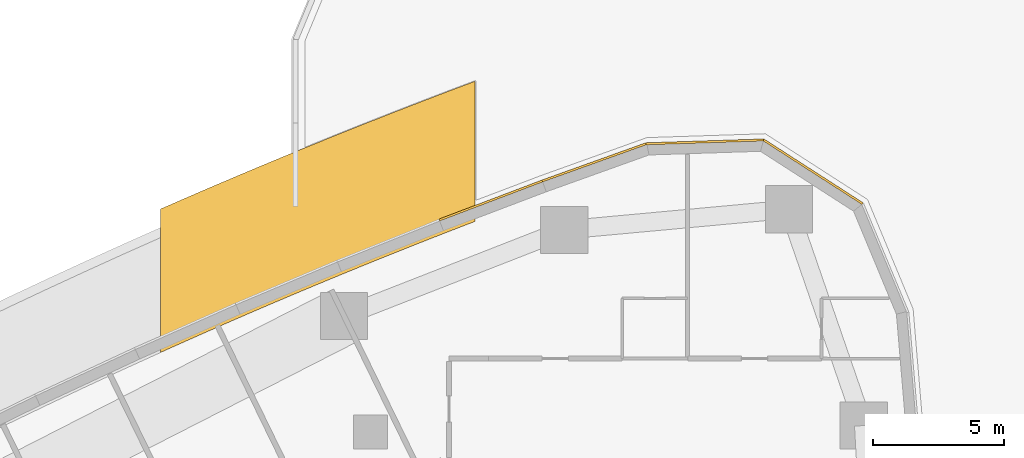
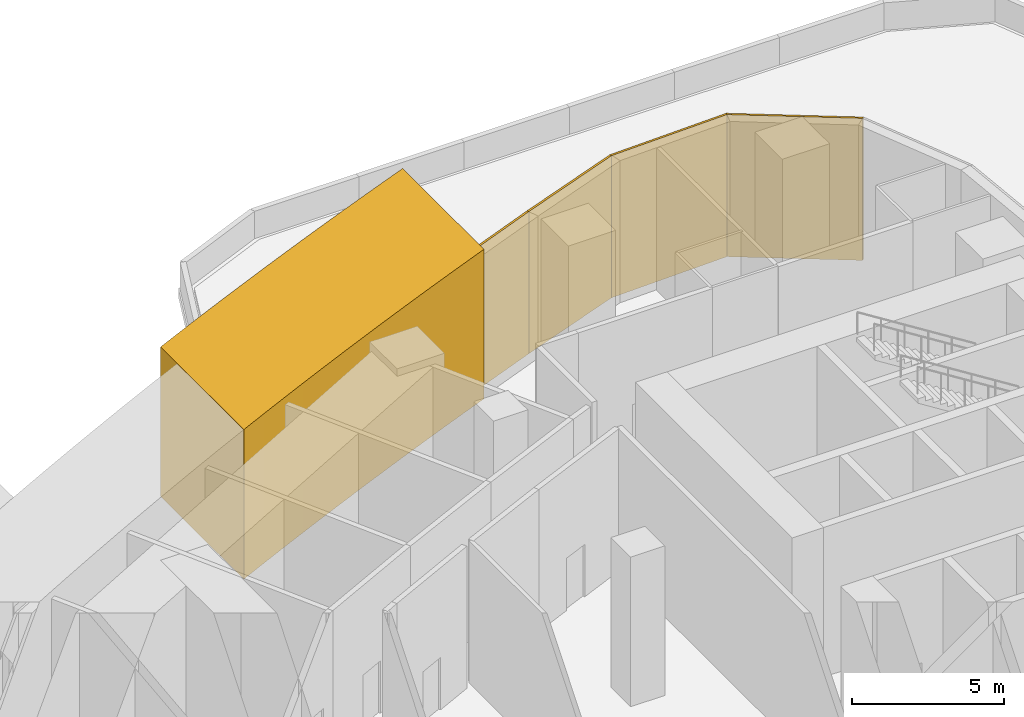
# One storey, part 14 of 14: 5 coverings.
"""IFC4 building model written with IfcOpenShell, lengths in metres."""

import ifcopenshell
import ifcopenshell.guid

model = None  # the IFC model being written
_history = None  # IfcOwnerHistory: only IFC2X3 demands one
_inside = {}  # id of a spatial element -> (the spatial element, [elements in it])
_under = {}  # id of a project, library or spatial element -> (it, [spatial elements below it])
_declared = {}  # id of a project -> (the project, [libraries it declares])
_typed = {}  # id of a type object -> (the type object, [elements of that type])
_made_of = {}  # id of a material, layer set ... -> (it, [elements and type objects made of it])


def new_model(schema):
    """Start an empty IFC model of exactly this schema.

    Asked for "IFC4X3", IfcOpenShell would pick the latest addendum, in which some entities
    have other attributes; the version numbers below select the first issue.
    IFC2X3 requires an IfcOwnerHistory on every rooted entity: one is made here for all.
    """
    global model, _history
    if schema == "IFC4X3":
        model = ifcopenshell.file(schema_version=(4, 3, 0, 0))
    else:
        model = ifcopenshell.file(schema=schema)
    _inside.clear()
    _under.clear()
    _declared.clear()
    _typed.clear()
    _made_of.clear()
    _history = None
    if model.schema == "IFC2X3":
        org = make("IfcOrganization", Name="unknown")
        user = make(
            "IfcPersonAndOrganization",
            ThePerson=make("IfcPerson", FamilyName="unknown"),
            TheOrganization=org,
        )
        app = make(
            "IfcApplication",
            ApplicationDeveloper=org,
            Version="unknown",
            ApplicationFullName="unknown",
            ApplicationIdentifier="unknown",
        )
        _history = make(
            "IfcOwnerHistory",
            OwningUser=user,
            OwningApplication=app,
            ChangeAction="ADDED",
            CreationDate=0,
        )
    return model


def make(cls, **values):
    """One entity of the class cls with the attributes given. An attribute that is None is left unset."""
    return model.create_entity(
        cls, **{name: value for name, value in values.items() if value is not None}
    )


def rooted(cls, **values):
    """An entity with a GlobalId (a new one), such as an element, a storey or a relation."""
    return make(cls, GlobalId=ifcopenshell.guid.new(), OwnerHistory=_history, **values)


def si_unit(unit_type, name, prefix=None):
    """IfcSIUnit, for example si_unit("LENGTHUNIT", "METRE", prefix="MILLI")."""
    return make("IfcSIUnit", UnitType=unit_type, Prefix=prefix, Name=name)


def assignment(units):
    """IfcUnitAssignment: the units of a project."""
    return None if units is None else make("IfcUnitAssignment", Units=units)


def point(xyz):
    """IfcCartesianPoint."""
    return None if xyz is None else make("IfcCartesianPoint", Coordinates=xyz)


def direction(xyz):
    """IfcDirection."""
    return None if xyz is None else make("IfcDirection", DirectionRatios=xyz)


def frame(location, z_axis=None, x_axis=None):
    """IfcAxis2Placement3D, a coordinate frame: its origin and axes. An axis left out is left unset."""
    return make(
        "IfcAxis2Placement3D",
        Location=point(location),
        Axis=direction(z_axis),
        RefDirection=direction(x_axis),
    )


def origin():
    """The frame at (0, 0, 0) with its axes left unset."""
    return frame((0.0, 0.0, 0.0))


def place(relative_to, where):
    """IfcLocalPlacement: puts the frame where relative to a parent placement (None: the world)."""
    return make(
        "IfcLocalPlacement", PlacementRelTo=relative_to, RelativePlacement=where
    )


def context(
    kind, dimensions, precision=None, world=None, true_north=None, identifier=None
):
    """IfcGeometricRepresentationContext, for example the 3D "Model" context."""
    return make(
        "IfcGeometricRepresentationContext",
        ContextIdentifier=identifier,
        ContextType=kind,
        CoordinateSpaceDimension=dimensions,
        Precision=precision,
        WorldCoordinateSystem=world,
        TrueNorth=true_north,
    )


def subcontext(parent, identifier, kind, view, scale=None):
    """IfcGeometricRepresentationSubContext, for example "Body" below "Model"."""
    return make(
        "IfcGeometricRepresentationSubContext",
        ContextIdentifier=identifier,
        ContextType=kind,
        ParentContext=parent,
        TargetScale=scale,
        TargetView=view,
    )


def project(units=None, contexts=None):
    """IfcProject with its units and contexts."""
    return rooted(
        "IfcProject",
        Name="project",
        RepresentationContexts=contexts,
        UnitsInContext=assignment(units),
    )


def spatial(cls, under=None, at=None, **own):
    """A site, building, storey or space (cls), placed at a placement, below another one or the project."""
    s = rooted(cls, ObjectPlacement=at, **own)
    if under is not None:
        _under.setdefault(under.id(), (under, []))[1].append(s)
    return s


def polyline(points):
    """IfcPolyline through the points."""
    return make("IfcPolyline", Points=[point(p) for p in points])


def outline(outer, holes=None, kind="AREA"):
    """IfcArbitraryClosedProfileDef: a profile drawn as a closed curve; with holes, ...WithVoids."""
    if holes is None:
        return make("IfcArbitraryClosedProfileDef", ProfileType=kind, OuterCurve=outer)
    return make(
        "IfcArbitraryProfileDefWithVoids",
        ProfileType=kind,
        OuterCurve=outer,
        InnerCurves=holes,
    )


def extrude(swept, where, along, depth):
    """IfcExtrudedAreaSolid: the profile swept, set in the frame where, extruded along a direction by depth."""
    return make(
        "IfcExtrudedAreaSolid",
        SweptArea=swept,
        Position=where,
        ExtrudedDirection=direction(along),
        Depth=depth,
    )


def shape(context_of_items, identifier, shape_type, items):
    """IfcShapeRepresentation: the items that make up one representation, for example the "Body"."""
    return make(
        "IfcShapeRepresentation",
        ContextOfItems=context_of_items,
        RepresentationIdentifier=identifier,
        RepresentationType=shape_type,
        Items=items,
    )


def material(Name=None, Category=None):
    """IfcMaterial."""
    return make("IfcMaterial", Name=Name, Category=Category)


def layer(
    of_material, thickness, ventilated=None, Name=None, Category=None, Priority=None
):
    """IfcMaterialLayer: one layer of a wall or slab, of a material (None: an air gap)."""
    return make(
        "IfcMaterialLayer",
        Material=of_material,
        LayerThickness=thickness,
        IsVentilated=ventilated,
        Name=Name,
        Category=Category,
        Priority=Priority,
    )


def layer_set(layers, Name=None):
    """IfcMaterialLayerSet."""
    return make("IfcMaterialLayerSet", MaterialLayers=layers, LayerSetName=Name)


def made_of(thing, what):
    """Note that an element or type object is made of a material, layer set ...; save() writes the relation."""
    if what is not None:
        _made_of.setdefault(what.id(), (what, []))[1].append(thing)
    return thing


def type_object(cls, material=None, **own):
    """A type object (cls), such as IfcWallType, which elements share."""
    return made_of(rooted(cls, **own), material)


def element(
    cls,
    number,
    at=None,
    inside=None,
    cuts=None,
    type_object=None,
    material=None,
    context=None,
    identifier="Body",
    shape_type=None,
    held_by="IfcProductDefinitionShape",
    body=None,
    shapes=None,
    **own,
):
    """One element of the class cls, such as IfcWall. Its Tag is "e" and its number.

    at: its placement. inside: the storey or other place that contains it. cuts: it is an
    opening in that element (IfcRelVoidsElement). A single representation is given by context,
    identifier, shape_type and body (its items); several are given by shapes. held_by: the class
    of the entity that holds the representations. save() writes the other relations.
    """
    e = rooted(cls, Tag="e%d" % number, ObjectPlacement=at, **own)
    if body is not None:
        shapes = [shape(context, identifier, shape_type, body)]
    if shapes is not None:
        e.Representation = make(held_by, Representations=shapes)
    if inside is not None:
        _inside.setdefault(inside.id(), (inside, []))[1].append(e)
    if cuts is not None:
        rooted(
            "IfcRelVoidsElement", RelatingBuildingElement=cuts, RelatedOpeningElement=e
        )
    if type_object is not None:
        _typed.setdefault(type_object.id(), (type_object, []))[1].append(e)
    return made_of(e, material)


def aggregate(whole, parts):
    """IfcRelAggregates: a whole, such as a stair, and the parts it consists of."""
    return rooted("IfcRelAggregates", RelatingObject=whole, RelatedObjects=parts)


def save(model, path):
    """Write the relations noted so far, then the file.

    IfcRelAggregates (storeys below a building ...), IfcRelContainedInSpatialStructure (elements
    in a storey), IfcRelDefinesByType, IfcRelAssociatesMaterial and IfcRelDeclares: one each for
    every whole, place, type object, material and project.
    """
    for whole, parts in _under.values():
        aggregate(whole, parts)
    for where, things in _inside.values():
        rooted(
            "IfcRelContainedInSpatialStructure",
            RelatedElements=things,
            RelatingStructure=where,
        )
    for kind, things in _typed.values():
        rooted("IfcRelDefinesByType", RelatedObjects=things, RelatingType=kind)
    for what, things in _made_of.values():
        rooted("IfcRelAssociatesMaterial", RelatedObjects=things, RelatingMaterial=what)
    for by, libraries in _declared.values():
        rooted("IfcRelDeclares", RelatingContext=by, RelatedDefinitions=libraries)
    model.write(path)


model = new_model("IFC4")

# Units and contexts
model_context = context("Model", 3, precision=1e-05, world=origin(), true_north=direction((0.0, 1.0)))
body_context = subcontext(model_context, "Body", "Model", "MODEL_VIEW")
ifc_project = project(units=[si_unit("LENGTHUNIT", "METRE"), si_unit("AREAUNIT", "SQUARE_METRE"), si_unit("VOLUMEUNIT", "CUBIC_METRE"), si_unit("PLANEANGLEUNIT", "RADIAN"), si_unit("MASSUNIT", "GRAM", prefix="KILO")], contexts=[model_context])

# Site, building, storey
site_placement = place(None, origin())
site = spatial("IfcSite", under=ifc_project, at=site_placement, CompositionType="ELEMENT")
building_placement = place(site_placement, origin())
building = spatial("IfcBuilding", under=site, at=building_placement, Name="Ostrand Prow Hotel Tower", CompositionType="ELEMENT")
storey_placement = place(building_placement, frame((0.0, 0.0, 29.0)))
storey = spatial("IfcBuildingStorey", under=building, at=storey_placement, Name="L05", CompositionType="ELEMENT", Elevation=29.0)

# Coverings
ifc_material_1 = material(Name="Limestone cladding", Category="masonry")
ifc_layer_1 = layer(ifc_material_1, 5.0)
ifc_layer_set_1 = layer_set([ifc_layer_1], Name="Limestone cladding")
covering_type_1 = type_object("IfcCoveringType", Name="Portal jamb pilaster limestone", PredefinedType="CLADDING", material=ifc_layer_set_1)
covering_1_placement = place(storey_placement, origin())
element("IfcCovering", 1, at=covering_1_placement, inside=storey, type_object=covering_type_1, Name="Portal jamb NB L05", PredefinedType="CLADDING", context=body_context, shape_type="SweptSolid", body=[
    extrude(outline(polyline([(37.0, 21.037109375), (38.0, 21.484619140625), (39.0, 21.9267578125), (40.0, 22.363037109375), (41.0, 22.793701171875), (42.0, 23.218505859375), (43.0, 23.637939453125), (44.0, 24.051513671875), (45.0, 24.459716796875), (46.0, 24.862548828125), (47.0, 25.259765625), (48.0, 25.6513671875), (49.0, 26.03759765625), (49.0, 31.384521484375), (48.0, 31.0078125), (47.0, 30.62548828125), (46.0, 30.23828125), (45.0, 29.845703125), (44.0, 29.447509765625), (43.0, 29.044189453125), (42.0, 28.635498046875), (41.0, 28.22119140625), (40.0, 27.801513671875), (39.0, 27.376220703125), (38.0, 26.945556640625), (37.0, 26.50927734375), (37.0, 21.037109375)])), origin(), (0.0, 0.0, 1.0), 6.0),
])
ifc_material_2 = material(Name="Limestone cladding", Category="masonry")
ifc_layer_2 = layer(ifc_material_2, 0.080078125)
ifc_layer_set_2 = layer_set([ifc_layer_2], Name="Limestone cladding")
covering_type_2 = type_object("IfcCoveringType", Name="Warm limestone cladding 80 mm", PredefinedType="CLADDING", material=ifc_layer_set_2)
covering_2_placement = place(storey_placement, frame((63.7724609375, 26.712158203125, 0.0), z_axis=(0.0, 0.0, 1.0), x_axis=(-0.840952209207, 0.541109399133, 0.0)))
element("IfcCovering", 2, at=covering_2_placement, inside=storey, type_object=covering_type_2, Name="Limestone cladding prow 32", PredefinedType="CLADDING", context=body_context, shape_type="SweptSolid", body=[
    extrude(outline(polyline([(-0.012451171875, -0.0400390625), (4.501220703125, -0.0400390625), (4.476318359375, 0.0400390625), (0.012451171875, 0.0400390625), (-0.012451171875, -0.0400390625)])), origin(), (0.0, 0.0, 1.0), 5.699951171875),
])
covering_3_placement = place(storey_placement, frame((59.99755859375, 29.14111328125, 0.0), z_axis=(0.0, 0.0, 1.0), x_axis=(-0.999463877056, -0.032740776731, 0.0)))
element("IfcCovering", 3, at=covering_3_placement, inside=storey, type_object=covering_type_2, Name="Limestone cladding prow 33", PredefinedType="CLADDING", context=body_context, shape_type="SweptSolid", body=[
    extrude(outline(polyline([(-0.012451171875, -0.0400390625), (4.495361328125, -0.0400390625), (4.482666015625, 0.0400390625), (0.012451171875, 0.0400390625), (-0.012451171875, -0.0400390625)])), origin(), (0.0, 0.0, 1.0), 5.699951171875),
])
covering_4_placement = place(storey_placement, frame((55.510986328125, 28.994140625, 0.0), z_axis=(0.0, 0.0, 1.0), x_axis=(-0.941341494325, -0.337455465303, 0.0)))
element("IfcCovering", 4, at=covering_4_placement, inside=storey, type_object=covering_type_2, Name="Limestone cladding prow 34", PredefinedType="CLADDING", context=body_context, shape_type="SweptSolid", body=[
    extrude(outline(polyline([(-0.00634765625, -0.0400390625), (4.200927734375, -0.0400390625), (4.199951171875, 0.0400390625), (0.00634765625, 0.0400390625), (-0.00634765625, -0.0400390625)])), origin(), (0.0, 0.0, 1.0), 5.699951171875),
])
covering_5_placement = place(storey_placement, frame((51.556884765625, 27.57666015625, 0.0), z_axis=(0.0, 0.0, 1.0), x_axis=(-0.934977587602, -0.354706795371, 0.0)))
element("IfcCovering", 5, at=covering_5_placement, inside=storey, type_object=covering_type_2, Name="Limestone cladding prow 35", PredefinedType="CLADDING", context=body_context, shape_type="SweptSolid", body=[
    extrude(outline(polyline([(-0.00048828125, -0.0400390625), (4.201171875, -0.0400390625), (4.2001953125, 0.0400390625), (0.00048828125, 0.0400390625), (-0.00048828125, -0.0400390625)])), origin(), (0.0, 0.0, 1.0), 5.699951171875),
])

save(model, "model.ifc")
